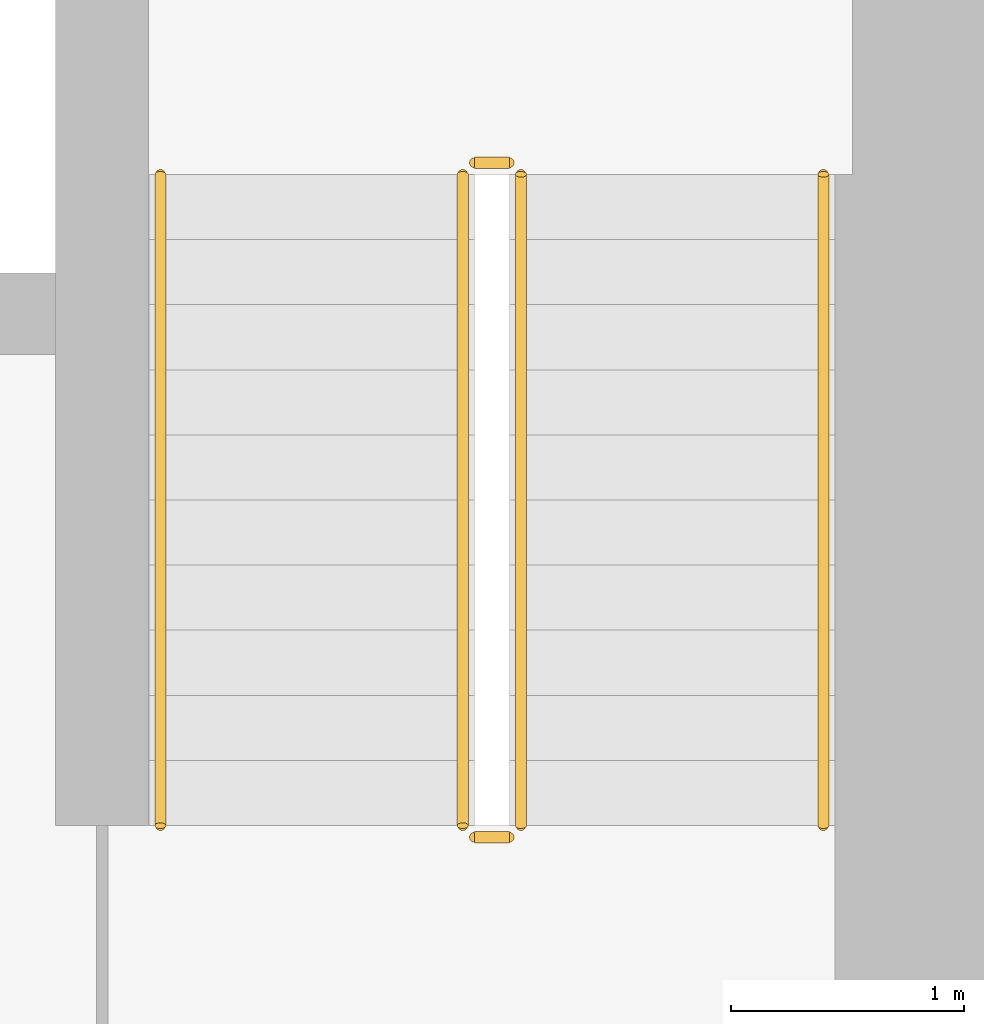
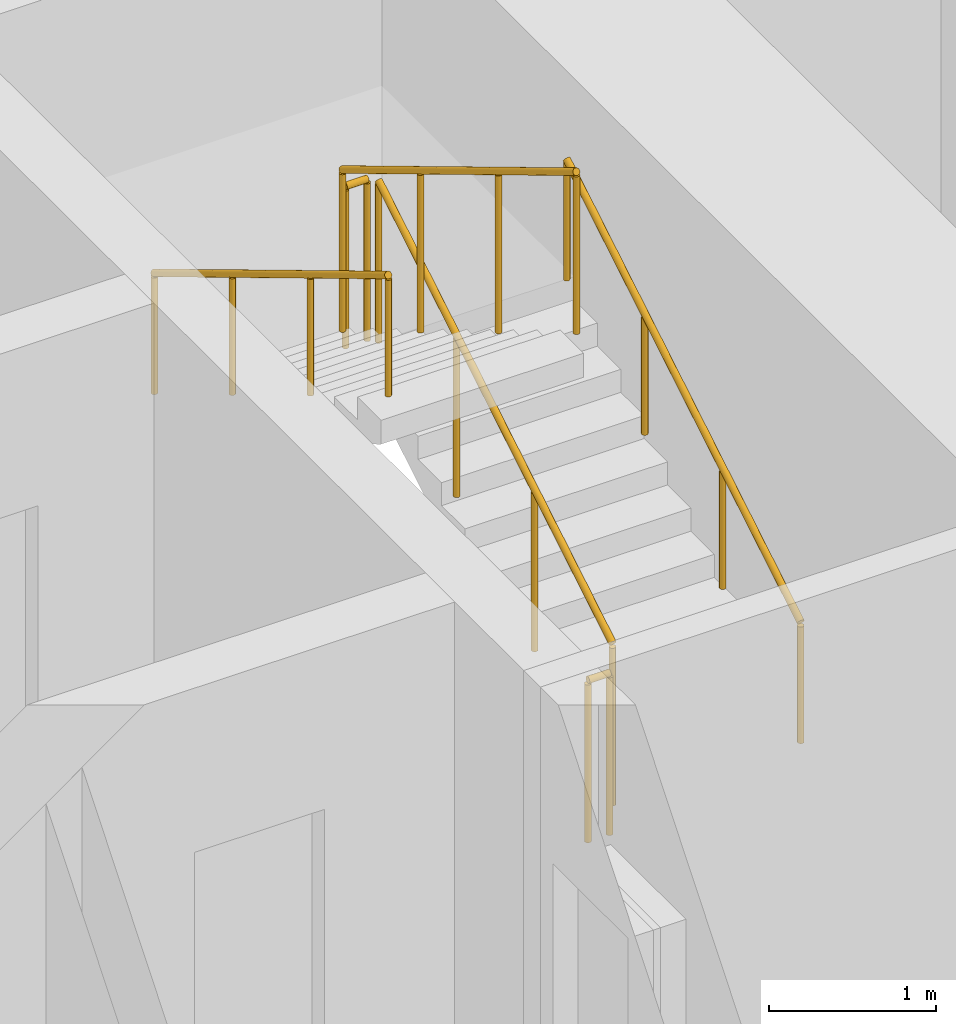
# One storey, part 23 of 24: 6 railings.
"""IFC4 building model written with IfcOpenShell, lengths in metres."""

from ifc_helpers import new_model, si_unit, direction, frame, origin, origin_2d, place, context, subcontext, project, spatial, circle, extrude, material, type_object, element, save


model = new_model("IFC4")

# Units and contexts
model_context = context("Model", 3, precision=1e-05, world=origin(), true_north=direction((0.0, 1.0)))
body_context = subcontext(model_context, "Body", "Model", "MODEL_VIEW")
ifc_project = project(units=[si_unit("LENGTHUNIT", "METRE"), si_unit("AREAUNIT", "SQUARE_METRE"), si_unit("VOLUMEUNIT", "CUBIC_METRE"), si_unit("PLANEANGLEUNIT", "RADIAN"), si_unit("MASSUNIT", "GRAM", prefix="KILO")], contexts=[model_context])

# Site, building, storey
site_placement = place(None, origin())
site = spatial("IfcSite", under=ifc_project, at=site_placement, CompositionType="ELEMENT")
building_placement = place(site_placement, origin())
building = spatial("IfcBuilding", under=site, at=building_placement, Name="Dongbaek Canopy Tower", CompositionType="ELEMENT")
storey_placement = place(building_placement, frame((0.0, 0.0, 44.0)))
storey = spatial("IfcBuildingStorey", under=building, at=storey_placement, Name="L06", CompositionType="ELEMENT", Elevation=44.0)

# Railings
ifc_material_1 = material(Name="Stainless steel tube and balusters", Category="steel")
railing_type_1 = type_object("IfcRailingType", Name="Stair guard 1200", PredefinedType="GUARDRAIL", material=ifc_material_1)
railing_1_placement = place(storey_placement, frame((11.449951171875, 4.699951171875, 0.168212890625)))
element("IfcRailing", 1, at=railing_1_placement, inside=storey, type_object=railing_type_1, Name="L06 ST-A stair guard 1", PredefinedType="GUARDRAIL", context=body_context, shape_type="SweptSolid", body=[
    extrude(circle(Radius=0.02392578125, at=origin_2d()), frame((0.0, 0.0, 1.17578125), z_axis=(0.0, 0.857242210791, 0.514913383045), x_axis=(-1.0, 0.0, 0.0)), (0.0, 0.0, 1.0), 3.266357421875),
    extrude(circle(Radius=0.02099609375, at=origin_2d()), origin(), (0.0, 0.0, 1.0), 1.15185546875),
    extrude(circle(Radius=0.02099609375, at=origin_2d()), frame((0.0, 0.933349609375, 0.560546875)), (0.0, 0.0, 1.0), 1.15185546875),
    extrude(circle(Radius=0.02099609375, at=origin_2d()), frame((0.0, 1.86669921875, 1.121337890625)), (0.0, 0.0, 1.0), 1.15185546875),
    extrude(circle(Radius=0.02099609375, at=origin_2d()), frame((0.0, 2.800048828125, 1.681884765625)), (0.0, 0.0, 1.0), 1.15185546875),
])
railing_2_placement = place(storey_placement, frame((11.39990234375, 7.550048828125, 1.85009765625)))
element("IfcRailing", 2, at=railing_2_placement, inside=storey, type_object=railing_type_1, Name="L06 ST-A stair guard 2", PredefinedType="GUARDRAIL", context=body_context, shape_type="SweptSolid", body=[
    extrude(circle(Radius=0.02392578125, at=origin_2d()), frame((0.0, 0.0, 1.17578125), z_axis=(-1.0, 0.0, 0.0), x_axis=(0.0, -1.0, 0.0)), (0.0, 0.0, 1.0), 0.14990234375),
    extrude(circle(Radius=0.02099609375, at=origin_2d()), origin(), (0.0, 0.0, 1.0), 1.15185546875),
    extrude(circle(Radius=0.02099609375, at=origin_2d()), frame((-0.14990234375, 0.0, 0.0)), (0.0, 0.0, 1.0), 1.15185546875),
])
railing_3_placement = place(storey_placement, frame((11.199951171875, 7.5, 2.01806640625)))
element("IfcRailing", 3, at=railing_3_placement, inside=storey, type_object=railing_type_1, Name="L06 ST-A stair guard 3", PredefinedType="GUARDRAIL", context=body_context, shape_type="SweptSolid", body=[
    extrude(circle(Radius=0.02392578125, at=origin_2d()), frame((0.0, 0.0, 1.17578125), z_axis=(0.0, -0.857242210791, 0.514913383045), x_axis=(1.0, 0.0, 0.0)), (0.0, 0.0, 1.0), 3.266357421875),
    extrude(circle(Radius=0.02099609375, at=origin_2d()), origin(), (0.0, 0.0, 1.0), 1.15185546875),
    extrude(circle(Radius=0.02099609375, at=origin_2d()), frame((0.0, -0.933349609375, 0.560546875)), (0.0, 0.0, 1.0), 1.15185546875),
    extrude(circle(Radius=0.02099609375, at=origin_2d()), frame((0.0, -1.86669921875, 1.121337890625)), (0.0, 0.0, 1.0), 1.15185546875),
    extrude(circle(Radius=0.02099609375, at=origin_2d()), frame((0.0, -2.800048828125, 1.681884765625)), (0.0, 0.0, 1.0), 1.15185546875),
])
railing_4_placement = place(storey_placement, frame((11.39990234375, 4.64990234375, 0.0)))
element("IfcRailing", 4, at=railing_4_placement, inside=storey, type_object=railing_type_1, Name="L06 ST-A stair guard 4", PredefinedType="GUARDRAIL", context=body_context, shape_type="SweptSolid", body=[
    extrude(circle(Radius=0.02392578125, at=origin_2d()), frame((0.0, 0.0, 1.17578125), z_axis=(-1.0, 0.0, 0.0), x_axis=(0.0, -1.0, 0.0)), (0.0, 0.0, 1.0), 0.14990234375),
    extrude(circle(Radius=0.02099609375, at=origin_2d()), origin(), (0.0, 0.0, 1.0), 1.15185546875),
    extrude(circle(Radius=0.02099609375, at=origin_2d()), frame((-0.14990234375, 0.0, 0.0)), (0.0, 0.0, 1.0), 1.15185546875),
])
ifc_material_2 = material(Name="Stainless steel tube", Category="steel")
railing_type_2 = type_object("IfcRailingType", Name="Stair handrail 900", PredefinedType="HANDRAIL", material=ifc_material_2)
railing_5_placement = place(storey_placement, frame((12.75, 4.699951171875, 0.168212890625)))
element("IfcRailing", 5, at=railing_5_placement, inside=storey, type_object=railing_type_2, Name="L06 ST-A stair handrail 1", PredefinedType="HANDRAIL", context=body_context, shape_type="SweptSolid", body=[
    extrude(circle(Radius=0.02392578125, at=origin_2d()), frame((0.0, 0.0, 0.8759765625), z_axis=(0.0, 0.857242210791, 0.514913383045), x_axis=(-1.0, 0.0, 0.0)), (0.0, 0.0, 1.0), 3.266357421875),
    extrude(circle(Radius=0.02099609375, at=origin_2d()), origin(), (0.0, 0.0, 1.0), 0.851806640625),
    extrude(circle(Radius=0.02099609375, at=origin_2d()), frame((0.0, 0.933349609375, 0.560546875)), (0.0, 0.0, 1.0), 0.851806640625),
    extrude(circle(Radius=0.02099609375, at=origin_2d()), frame((0.0, 1.86669921875, 1.121337890625)), (0.0, 0.0, 1.0), 0.851806640625),
    extrude(circle(Radius=0.02099609375, at=origin_2d()), frame((0.0, 2.800048828125, 1.681884765625)), (0.0, 0.0, 1.0), 0.851806640625),
])
railing_6_placement = place(storey_placement, frame((9.89990234375, 7.5, 2.01806640625)))
element("IfcRailing", 6, at=railing_6_placement, inside=storey, type_object=railing_type_2, Name="L06 ST-A stair handrail 2", PredefinedType="HANDRAIL", context=body_context, shape_type="SweptSolid", body=[
    extrude(circle(Radius=0.02392578125, at=origin_2d()), frame((0.0, 0.0, 0.8759765625), z_axis=(0.0, -0.857242210791, 0.514913383045), x_axis=(1.0, 0.0, 0.0)), (0.0, 0.0, 1.0), 3.266357421875),
    extrude(circle(Radius=0.02099609375, at=origin_2d()), origin(), (0.0, 0.0, 1.0), 0.851806640625),
    extrude(circle(Radius=0.02099609375, at=origin_2d()), frame((0.0, -0.933349609375, 0.560546875)), (0.0, 0.0, 1.0), 0.851806640625),
    extrude(circle(Radius=0.02099609375, at=origin_2d()), frame((0.0, -1.86669921875, 1.121337890625)), (0.0, 0.0, 1.0), 0.851806640625),
    extrude(circle(Radius=0.02099609375, at=origin_2d()), frame((0.0, -2.800048828125, 1.681884765625)), (0.0, 0.0, 1.0), 0.851806640625),
])

save(model, "model.ifc")
